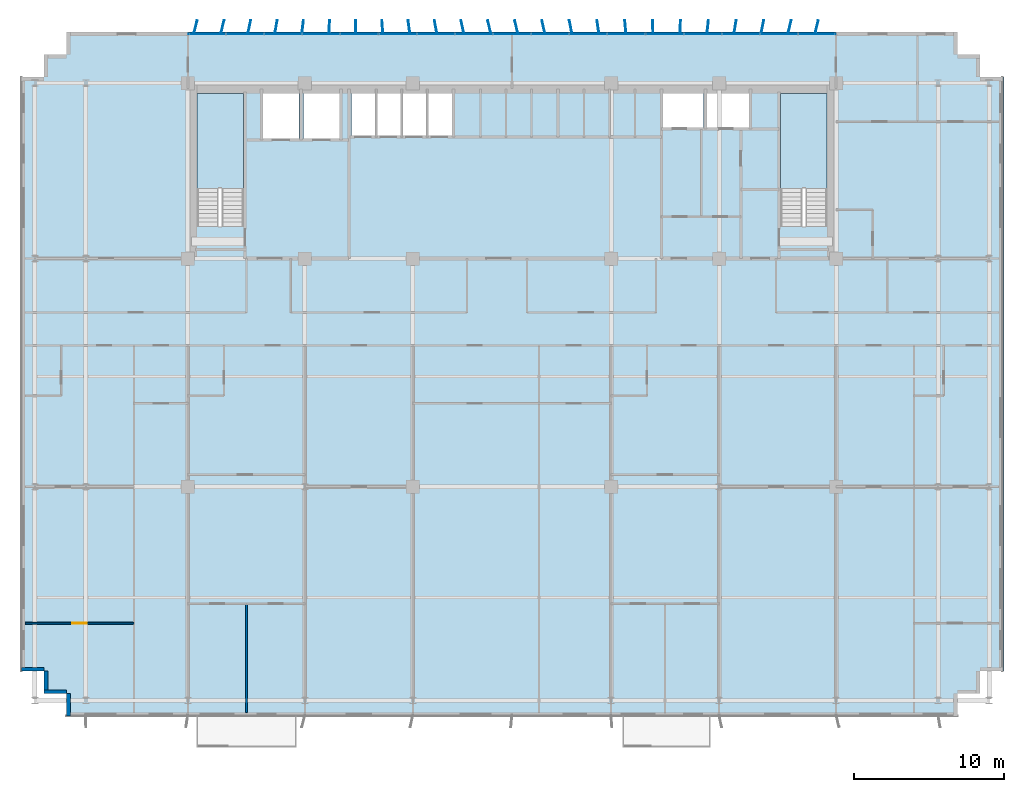
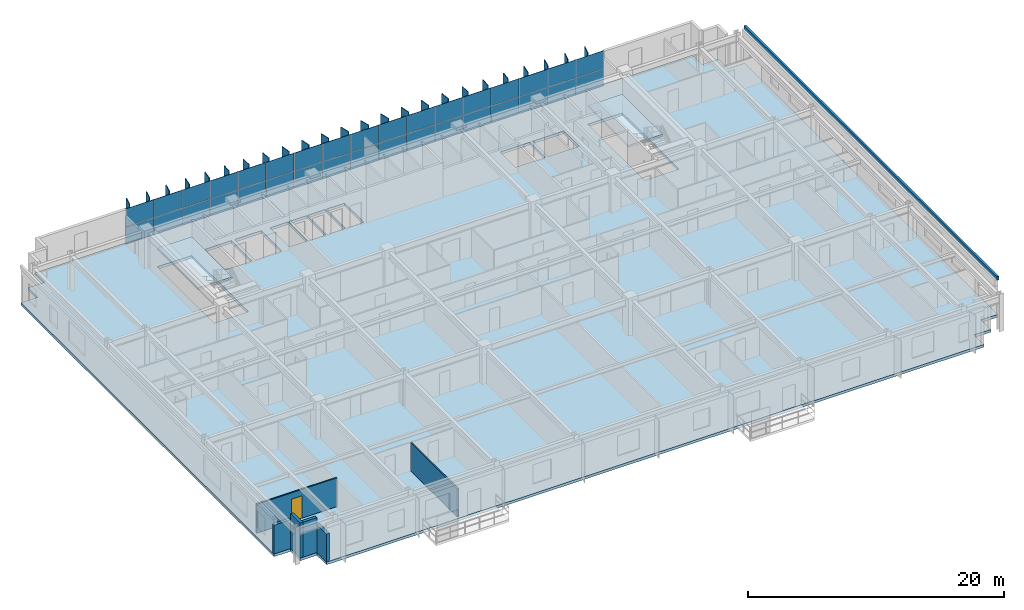
# One storey, part 14 of 22: 59 plates, 6 walls, 3 slabs, 1 door, 1 opening, 3 elements without a shape of their own.
"""IFC4 building model written with IfcOpenShell, lengths in metres."""

from ifc_helpers import new_model, si_unit, direction, frame, frame_2d, origin, origin_2d, place, context, subcontext, project, spatial, polyline, rectangle, outline, extrude, source, transform, mapped, material, layer, layer_set, type_object, element, fill, aggregate, save


model = new_model("IFC4")

# Units and contexts
model_context = context("Model", 3, precision=1e-05, world=origin(), true_north=direction((0.0, 1.0)))
body_context = subcontext(model_context, "Body", "Model", "MODEL_VIEW")
ifc_project = project(units=[si_unit("LENGTHUNIT", "METRE"), si_unit("AREAUNIT", "SQUARE_METRE"), si_unit("VOLUMEUNIT", "CUBIC_METRE"), si_unit("PLANEANGLEUNIT", "RADIAN"), si_unit("MASSUNIT", "GRAM", prefix="KILO")], contexts=[model_context])

# Site, building, storey
site_placement = place(None, origin())
site = spatial("IfcSite", under=ifc_project, at=site_placement, CompositionType="ELEMENT")
building_placement = place(site_placement, origin())
building = spatial("IfcBuilding", under=site, at=building_placement, Name="Trelvane Seafront Commons", CompositionType="ELEMENT")
storey_placement = place(building_placement, frame((0.0, 0.0, 48.699951171875)))
storey = spatial("IfcBuildingStorey", under=building, at=storey_placement, Name="L12", CompositionType="ELEMENT", Elevation=48.699951171875)

# Stair, slab
ifc_material_1 = material(Name="Concrete C40/50", Category="concrete")
stair_type_1 = type_object("IfcStairType", Name="ARCH-STR-ST-1-R20-180", PredefinedType="HALF_TURN_STAIR", material=ifc_material_1)
stair_1_placement = place(storey_placement, origin())
stair_1 = element("IfcStair", 1, at=stair_1_placement, inside=storey, type_object=stair_type_1, Name="L12 West Protected Firefighting Exit Stair ST-1", PredefinedType="HALF_TURN_STAIR")
ifc_layer_1 = layer(ifc_material_1, 0.199951171875, Name="ARCH-LND-200")
ifc_layer_set_1 = layer_set([ifc_layer_1], Name="Concrete C40/50")
slab_type_1 = type_object("IfcSlabType", Name="ARCH-LND-200", PredefinedType="LANDING", material=ifc_layer_set_1)
slab_1_placement = place(storey_placement, frame((0.0, 0.0, 1.60009765625)))
slab_1 = element("IfcSlab", 2, at=slab_1_placement, type_object=slab_type_1, Name="ST-1 landing 1", PredefinedType="LANDING", context=body_context, shape_type="SweptSolid", body=[
    extrude(outline(polyline([(19.300048828125, 38.070068359375), (19.300048828125, 44.39990234375), (16.199951171875, 44.39990234375), (16.199951171875, 38.070068359375), (19.300048828125, 38.070068359375)])), origin(), (0.0, 0.0, 1.0), 0.199951171875),
])
aggregate(stair_1, [slab_1])

stair_type_2 = type_object("IfcStairType", Name="ARCH-STR-ST-2-R20-180", PredefinedType="HALF_TURN_STAIR", material=ifc_material_1)
stair_2_placement = place(storey_placement, origin())
stair_2 = element("IfcStair", 3, at=stair_2_placement, inside=storey, type_object=stair_type_2, Name="L12 East Protected Firefighting Exit Stair ST-2", PredefinedType="HALF_TURN_STAIR")
slab_2_placement = place(storey_placement, frame((0.0, 0.0, 1.60009765625)))
slab_2 = element("IfcSlab", 4, at=slab_2_placement, type_object=slab_type_1, Name="ST-2 landing 1", PredefinedType="LANDING", context=body_context, shape_type="SweptSolid", body=[
    extrude(outline(polyline([(58.199951171875, 38.070068359375), (58.199951171875, 44.39990234375), (55.10009765625, 44.39990234375), (55.10009765625, 38.070068359375), (58.199951171875, 38.070068359375)])), origin(), (0.0, 0.0, 1.0), 0.199951171875),
])
aggregate(stair_2, [slab_2])

# Slab
ifc_material_2 = material(Name="Concrete C50/60", Category="concrete")
ifc_layer_2 = layer(ifc_material_2, 0.260009765625, Name="STR-SLB-Z1-260")
ifc_layer_set_2 = layer_set([ifc_layer_2], Name="Concrete C50/60")
slab_type_2 = type_object("IfcSlabType", Name="STR-SLB-Z1-260", PredefinedType="FLOOR", material=ifc_layer_set_2)
slab_3_placement = place(storey_placement, frame((0.0, 0.0, -0.260009765625)))
element("IfcSlab", 5, at=slab_3_placement, inside=storey, type_object=slab_type_2, Name="L12 Structural Floor Slab", PredefinedType="FLOOR", context=body_context, shape_type="SweptSolid", body=[
    extrude(outline(polyline([(7.5, 2.89990234375), (66.89990234375, 2.89990234375), (66.89990234375, 4.39990234375), (68.39990234375, 4.39990234375), (68.39990234375, 5.89990234375), (69.89990234375, 5.89990234375), (69.89990234375, 45.5), (68.39990234375, 45.5), (68.39990234375, 47.0), (66.89990234375, 47.0), (66.89990234375, 48.5), (7.5, 48.5), (7.5, 47.0), (6.0, 47.0), (6.0, 45.5), (4.5, 45.5), (4.5, 5.89990234375), (6.0, 5.89990234375), (6.0, 4.39990234375), (7.5, 4.39990234375), (7.5, 2.89990234375)]), holes=[polyline([(19.300048828125, 35.550048828125), (16.199951171875, 35.550048828125), (16.199951171875, 44.39990234375), (19.300048828125, 44.39990234375), (19.300048828125, 35.550048828125)]), polyline([(58.199951171875, 35.550048828125), (55.10009765625, 35.550048828125), (55.10009765625, 44.39990234375), (58.199951171875, 44.39990234375), (58.199951171875, 35.550048828125)]), polyline([(23.0, 41.39990234375), (20.60009765625, 41.39990234375), (20.60009765625, 44.60009765625), (23.0, 44.60009765625), (23.0, 41.39990234375)]), polyline([(23.300048828125, 41.39990234375), (23.300048828125, 44.60009765625), (25.699951171875, 44.60009765625), (25.699951171875, 41.39990234375), (23.300048828125, 41.39990234375)]), polyline([(26.5, 41.60009765625), (26.5, 44.60009765625), (28.1201171875, 44.60009765625), (28.1201171875, 41.60009765625), (26.5, 41.60009765625)]), polyline([(29.820068359375, 41.60009765625), (28.199951171875, 41.60009765625), (28.199951171875, 44.60009765625), (29.820068359375, 44.60009765625), (29.820068359375, 41.60009765625)]), polyline([(31.52001953125, 41.60009765625), (29.89990234375, 41.60009765625), (29.89990234375, 44.60009765625), (31.52001953125, 44.60009765625), (31.52001953125, 41.60009765625)]), polyline([(33.219970703125, 41.60009765625), (31.60009765625, 41.60009765625), (31.60009765625, 44.60009765625), (33.219970703125, 44.60009765625), (33.219970703125, 41.60009765625)]), polyline([(47.25, 42.14990234375), (47.25, 44.550048828125), (49.949951171875, 44.550048828125), (49.949951171875, 42.14990234375), (47.25, 42.14990234375)]), polyline([(50.199951171875, 42.14990234375), (50.199951171875, 44.550048828125), (53.0, 44.550048828125), (53.0, 42.14990234375), (50.199951171875, 42.14990234375)])]), origin(), (0.0, 0.0, 1.0), 0.260009765625),
])

# Curtain wall, plates
ifc_material_3 = material(Name="Anodised pale-silver aluminium", Category="aluminium")
curtain_wall_type = type_object("IfcCurtainWallType", Name="ARCH-CW2-LOWTOWER", PredefinedType="NOTDEFINED", material=ifc_material_3)
curtain_wall_placement = place(storey_placement, origin())
curtain_wall = element("IfcCurtainWall", 6, at=curtain_wall_placement, inside=storey, type_object=curtain_wall_type, Name="CW-L12-0036", PredefinedType="NOTDEFINED")
ifc_material_4 = material(Name="Low-E coastal double glazing", Category="glass")
ifc_layer_3 = layer(ifc_material_4, 0.033935546875, Name="ARCH-CW-GLAZ-34")
ifc_layer_set_3 = layer_set([ifc_layer_3], Name="Low-E coastal double glazing")
plate_type_1 = type_object("IfcPlateType", Name="ARCH-CW-GLAZ-34", PredefinedType="CURTAIN_PANEL", material=ifc_layer_set_3)
shared_shape_1 = source(origin(), body_context, "Body", "SweptSolid", [
    extrude(rectangle(XDim=2.51708984375, YDim=0.031982421875, at=origin_2d()), origin(), (0.0, 0.0, 1.0), 1.5849609375),
])
plate_1_placement = place(storey_placement, frame((16.87060546875, 48.3701171875, 0.0), z_axis=(0.0, 0.0, 1.0), x_axis=(1.0, 0.0, 0.0)))
plate_1 = element("IfcPlate", 7, at=plate_1_placement, type_object=plate_type_1, Name="CW-L12-0036-P00-1", PredefinedType="CURTAIN_PANEL", context=body_context, shape_type="MappedRepresentation", body=[
    mapped(shared_shape_1, transform((0.0, 0.0, 0.0), x_axis=(1.0, 0.0, 0.0), y_axis=(0.0, 1.0, 0.0), z_axis=(0.0, 0.0, 1.0), scale=1.0)),
])
plate_2_placement = place(storey_placement, frame((19.411865234375, 48.3701171875, 0.0), z_axis=(0.0, 0.0, 1.0), x_axis=(1.0, 0.0, 0.0)))
plate_2 = element("IfcPlate", 8, at=plate_2_placement, type_object=plate_type_1, Name="CW-L12-0036-P01-1", PredefinedType="CURTAIN_PANEL", context=body_context, shape_type="MappedRepresentation", body=[
    mapped(shared_shape_1, transform((0.0, 0.0, 0.0), x_axis=(1.0, 0.0, 0.0), y_axis=(0.0, 1.0, 0.0), z_axis=(0.0, 0.0, 1.0), scale=1.0)),
])
plate_3_placement = place(storey_placement, frame((21.952880859375, 48.3701171875, 0.0), z_axis=(0.0, 0.0, 1.0), x_axis=(1.0, 0.0, 0.0)))
plate_3 = element("IfcPlate", 9, at=plate_3_placement, type_object=plate_type_1, Name="CW-L12-0036-P02-1", PredefinedType="CURTAIN_PANEL", context=body_context, shape_type="MappedRepresentation", body=[
    mapped(shared_shape_1, transform((0.0, 0.0, 0.0), x_axis=(1.0, 0.0, 0.0), y_axis=(0.0, 1.0, 0.0), z_axis=(0.0, 0.0, 1.0), scale=1.0)),
])
plate_4_placement = place(storey_placement, frame((24.494140625, 48.3701171875, 0.0), z_axis=(0.0, 0.0, 1.0), x_axis=(1.0, 0.0, 0.0)))
plate_4 = element("IfcPlate", 10, at=plate_4_placement, type_object=plate_type_1, Name="CW-L12-0036-P03-1", PredefinedType="CURTAIN_PANEL", context=body_context, shape_type="MappedRepresentation", body=[
    mapped(shared_shape_1, transform((0.0, 0.0, 0.0), x_axis=(1.0, 0.0, 0.0), y_axis=(0.0, 1.0, 0.0), z_axis=(0.0, 0.0, 1.0), scale=1.0)),
])
plate_5_placement = place(storey_placement, frame((27.035400390625, 48.3701171875, 0.0), z_axis=(0.0, 0.0, 1.0), x_axis=(1.0, 0.0, 0.0)))
plate_5 = element("IfcPlate", 11, at=plate_5_placement, type_object=plate_type_1, Name="CW-L12-0036-P04-1", PredefinedType="CURTAIN_PANEL", context=body_context, shape_type="MappedRepresentation", body=[
    mapped(shared_shape_1, transform((0.0, 0.0, 0.0), x_axis=(1.0, 0.0, 0.0), y_axis=(0.0, 1.0, 0.0), z_axis=(0.0, 0.0, 1.0), scale=1.0)),
])
plate_6_placement = place(storey_placement, frame((29.576416015625, 48.3701171875, 0.0), z_axis=(0.0, 0.0, 1.0), x_axis=(1.0, 0.0, 0.0)))
plate_6 = element("IfcPlate", 12, at=plate_6_placement, type_object=plate_type_1, Name="CW-L12-0036-P05-1", PredefinedType="CURTAIN_PANEL", context=body_context, shape_type="MappedRepresentation", body=[
    mapped(shared_shape_1, transform((0.0, 0.0, 0.0), x_axis=(1.0, 0.0, 0.0), y_axis=(0.0, 1.0, 0.0), z_axis=(0.0, 0.0, 1.0), scale=1.0)),
])
plate_7_placement = place(storey_placement, frame((32.11767578125, 48.3701171875, 0.0), z_axis=(0.0, 0.0, 1.0), x_axis=(1.0, 0.0, 0.0)))
plate_7 = element("IfcPlate", 13, at=plate_7_placement, type_object=plate_type_1, Name="CW-L12-0036-P06-1", PredefinedType="CURTAIN_PANEL", context=body_context, shape_type="MappedRepresentation", body=[
    mapped(shared_shape_1, transform((0.0, 0.0, 0.0), x_axis=(1.0, 0.0, 0.0), y_axis=(0.0, 1.0, 0.0), z_axis=(0.0, 0.0, 1.0), scale=1.0)),
])
plate_8_placement = place(storey_placement, frame((34.65869140625, 48.3701171875, 0.0), z_axis=(0.0, 0.0, 1.0), x_axis=(1.0, 0.0, 0.0)))
plate_8 = element("IfcPlate", 14, at=plate_8_placement, type_object=plate_type_1, Name="CW-L12-0036-P07-1", PredefinedType="CURTAIN_PANEL", context=body_context, shape_type="MappedRepresentation", body=[
    mapped(shared_shape_1, transform((0.0, 0.0, 0.0), x_axis=(1.0, 0.0, 0.0), y_axis=(0.0, 1.0, 0.0), z_axis=(0.0, 0.0, 1.0), scale=1.0)),
])
plate_9_placement = place(storey_placement, frame((37.199951171875, 48.3701171875, 0.0), z_axis=(0.0, 0.0, 1.0), x_axis=(1.0, 0.0, 0.0)))
plate_9 = element("IfcPlate", 15, at=plate_9_placement, type_object=plate_type_1, Name="CW-L12-0036-P08-1", PredefinedType="CURTAIN_PANEL", context=body_context, shape_type="MappedRepresentation", body=[
    mapped(shared_shape_1, transform((0.0, 0.0, 0.0), x_axis=(1.0, 0.0, 0.0), y_axis=(0.0, 1.0, 0.0), z_axis=(0.0, 0.0, 1.0), scale=1.0)),
])
plate_10_placement = place(storey_placement, frame((39.7412109375, 48.3701171875, 0.0), z_axis=(0.0, 0.0, 1.0), x_axis=(1.0, 0.0, 0.0)))
plate_10 = element("IfcPlate", 16, at=plate_10_placement, type_object=plate_type_1, Name="CW-L12-0036-P09-1", PredefinedType="CURTAIN_PANEL", context=body_context, shape_type="MappedRepresentation", body=[
    mapped(shared_shape_1, transform((0.0, 0.0, 0.0), x_axis=(1.0, 0.0, 0.0), y_axis=(0.0, 1.0, 0.0), z_axis=(0.0, 0.0, 1.0), scale=1.0)),
])
plate_11_placement = place(storey_placement, frame((42.282470703125, 48.3701171875, 0.0), z_axis=(0.0, 0.0, 1.0), x_axis=(1.0, 0.0, 0.0)))
plate_11 = element("IfcPlate", 17, at=plate_11_placement, type_object=plate_type_1, Name="CW-L12-0036-P10-1", PredefinedType="CURTAIN_PANEL", context=body_context, shape_type="MappedRepresentation", body=[
    mapped(shared_shape_1, transform((0.0, 0.0, 0.0), x_axis=(1.0, 0.0, 0.0), y_axis=(0.0, 1.0, 0.0), z_axis=(0.0, 0.0, 1.0), scale=1.0)),
])
plate_12_placement = place(storey_placement, frame((44.823486328125, 48.3701171875, 0.0), z_axis=(0.0, 0.0, 1.0), x_axis=(1.0, 0.0, 0.0)))
plate_12 = element("IfcPlate", 18, at=plate_12_placement, type_object=plate_type_1, Name="CW-L12-0036-P11-1", PredefinedType="CURTAIN_PANEL", context=body_context, shape_type="MappedRepresentation", body=[
    mapped(shared_shape_1, transform((0.0, 0.0, 0.0), x_axis=(1.0, 0.0, 0.0), y_axis=(0.0, 1.0, 0.0), z_axis=(0.0, 0.0, 1.0), scale=1.0)),
])
plate_13_placement = place(storey_placement, frame((47.36474609375, 48.3701171875, 0.0), z_axis=(0.0, 0.0, 1.0), x_axis=(1.0, 0.0, 0.0)))
plate_13 = element("IfcPlate", 19, at=plate_13_placement, type_object=plate_type_1, Name="CW-L12-0036-P12-1", PredefinedType="CURTAIN_PANEL", context=body_context, shape_type="MappedRepresentation", body=[
    mapped(shared_shape_1, transform((0.0, 0.0, 0.0), x_axis=(1.0, 0.0, 0.0), y_axis=(0.0, 1.0, 0.0), z_axis=(0.0, 0.0, 1.0), scale=1.0)),
])
plate_14_placement = place(storey_placement, frame((49.906005859375, 48.3701171875, 0.0), z_axis=(0.0, 0.0, 1.0), x_axis=(1.0, 0.0, 0.0)))
plate_14 = element("IfcPlate", 20, at=plate_14_placement, type_object=plate_type_1, Name="CW-L12-0036-P13-1", PredefinedType="CURTAIN_PANEL", context=body_context, shape_type="MappedRepresentation", body=[
    mapped(shared_shape_1, transform((0.0, 0.0, 0.0), x_axis=(1.0, 0.0, 0.0), y_axis=(0.0, 1.0, 0.0), z_axis=(0.0, 0.0, 1.0), scale=1.0)),
])
plate_15_placement = place(storey_placement, frame((52.447021484375, 48.3701171875, 0.0), z_axis=(0.0, 0.0, 1.0), x_axis=(1.0, 0.0, 0.0)))
plate_15 = element("IfcPlate", 21, at=plate_15_placement, type_object=plate_type_1, Name="CW-L12-0036-P14-1", PredefinedType="CURTAIN_PANEL", context=body_context, shape_type="MappedRepresentation", body=[
    mapped(shared_shape_1, transform((0.0, 0.0, 0.0), x_axis=(1.0, 0.0, 0.0), y_axis=(0.0, 1.0, 0.0), z_axis=(0.0, 0.0, 1.0), scale=1.0)),
])
plate_16_placement = place(storey_placement, frame((54.98828125, 48.3701171875, 0.0), z_axis=(0.0, 0.0, 1.0), x_axis=(1.0, 0.0, 0.0)))
plate_16 = element("IfcPlate", 22, at=plate_16_placement, type_object=plate_type_1, Name="CW-L12-0036-P15-1", PredefinedType="CURTAIN_PANEL", context=body_context, shape_type="MappedRepresentation", body=[
    mapped(shared_shape_1, transform((0.0, 0.0, 0.0), x_axis=(1.0, 0.0, 0.0), y_axis=(0.0, 1.0, 0.0), z_axis=(0.0, 0.0, 1.0), scale=1.0)),
])
plate_17_placement = place(storey_placement, frame((57.529296875, 48.3701171875, 0.0), z_axis=(0.0, 0.0, 1.0), x_axis=(1.0, 0.0, 0.0)))
plate_17 = element("IfcPlate", 23, at=plate_17_placement, type_object=plate_type_1, Name="CW-L12-0036-P16-1", PredefinedType="CURTAIN_PANEL", context=body_context, shape_type="MappedRepresentation", body=[
    mapped(shared_shape_1, transform((0.0, 0.0, 0.0), x_axis=(1.0, 0.0, 0.0), y_axis=(0.0, 1.0, 0.0), z_axis=(0.0, 0.0, 1.0), scale=1.0)),
])
shared_shape_2 = source(origin(), body_context, "Body", "SweptSolid", [
    extrude(rectangle(XDim=2.51708984375, YDim=0.031982421875, at=origin_2d()), origin(), (0.0, 0.0, 1.0), 1.718994140625),
])
plate_18_placement = place(storey_placement, frame((16.87060546875, 48.3701171875, 1.62109375), z_axis=(0.0, 0.0, 1.0), x_axis=(1.0, 0.0, 0.0)))
plate_18 = element("IfcPlate", 24, at=plate_18_placement, type_object=plate_type_1, Name="CW-L12-0036-P00-2", PredefinedType="CURTAIN_PANEL", context=body_context, shape_type="MappedRepresentation", body=[
    mapped(shared_shape_2, transform((0.0, 0.0, 0.0), x_axis=(1.0, 0.0, 0.0), y_axis=(0.0, 1.0, 0.0), z_axis=(0.0, 0.0, 1.0), scale=1.0)),
])
plate_19_placement = place(storey_placement, frame((19.411865234375, 48.3701171875, 1.62109375), z_axis=(0.0, 0.0, 1.0), x_axis=(1.0, 0.0, 0.0)))
plate_19 = element("IfcPlate", 25, at=plate_19_placement, type_object=plate_type_1, Name="CW-L12-0036-P01-2", PredefinedType="CURTAIN_PANEL", context=body_context, shape_type="MappedRepresentation", body=[
    mapped(shared_shape_2, transform((0.0, 0.0, 0.0), x_axis=(1.0, 0.0, 0.0), y_axis=(0.0, 1.0, 0.0), z_axis=(0.0, 0.0, 1.0), scale=1.0)),
])
plate_20_placement = place(storey_placement, frame((21.952880859375, 48.3701171875, 1.62109375), z_axis=(0.0, 0.0, 1.0), x_axis=(1.0, 0.0, 0.0)))
plate_20 = element("IfcPlate", 26, at=plate_20_placement, type_object=plate_type_1, Name="CW-L12-0036-P02-2", PredefinedType="CURTAIN_PANEL", context=body_context, shape_type="MappedRepresentation", body=[
    mapped(shared_shape_2, transform((0.0, 0.0, 0.0), x_axis=(1.0, 0.0, 0.0), y_axis=(0.0, 1.0, 0.0), z_axis=(0.0, 0.0, 1.0), scale=1.0)),
])
plate_21_placement = place(storey_placement, frame((24.494140625, 48.3701171875, 1.62109375), z_axis=(0.0, 0.0, 1.0), x_axis=(1.0, 0.0, 0.0)))
plate_21 = element("IfcPlate", 27, at=plate_21_placement, type_object=plate_type_1, Name="CW-L12-0036-P03-2", PredefinedType="CURTAIN_PANEL", context=body_context, shape_type="MappedRepresentation", body=[
    mapped(shared_shape_2, transform((0.0, 0.0, 0.0), x_axis=(1.0, 0.0, 0.0), y_axis=(0.0, 1.0, 0.0), z_axis=(0.0, 0.0, 1.0), scale=1.0)),
])
plate_22_placement = place(storey_placement, frame((27.035400390625, 48.3701171875, 1.62109375), z_axis=(0.0, 0.0, 1.0), x_axis=(1.0, 0.0, 0.0)))
plate_22 = element("IfcPlate", 28, at=plate_22_placement, type_object=plate_type_1, Name="CW-L12-0036-P04-2", PredefinedType="CURTAIN_PANEL", context=body_context, shape_type="MappedRepresentation", body=[
    mapped(shared_shape_2, transform((0.0, 0.0, 0.0), x_axis=(1.0, 0.0, 0.0), y_axis=(0.0, 1.0, 0.0), z_axis=(0.0, 0.0, 1.0), scale=1.0)),
])
plate_23_placement = place(storey_placement, frame((29.576416015625, 48.3701171875, 1.62109375), z_axis=(0.0, 0.0, 1.0), x_axis=(1.0, 0.0, 0.0)))
plate_23 = element("IfcPlate", 29, at=plate_23_placement, type_object=plate_type_1, Name="CW-L12-0036-P05-2", PredefinedType="CURTAIN_PANEL", context=body_context, shape_type="MappedRepresentation", body=[
    mapped(shared_shape_2, transform((0.0, 0.0, 0.0), x_axis=(1.0, 0.0, 0.0), y_axis=(0.0, 1.0, 0.0), z_axis=(0.0, 0.0, 1.0), scale=1.0)),
])
plate_24_placement = place(storey_placement, frame((32.11767578125, 48.3701171875, 1.62109375), z_axis=(0.0, 0.0, 1.0), x_axis=(1.0, 0.0, 0.0)))
plate_24 = element("IfcPlate", 30, at=plate_24_placement, type_object=plate_type_1, Name="CW-L12-0036-P06-2", PredefinedType="CURTAIN_PANEL", context=body_context, shape_type="MappedRepresentation", body=[
    mapped(shared_shape_2, transform((0.0, 0.0, 0.0), x_axis=(1.0, 0.0, 0.0), y_axis=(0.0, 1.0, 0.0), z_axis=(0.0, 0.0, 1.0), scale=1.0)),
])
plate_25_placement = place(storey_placement, frame((34.65869140625, 48.3701171875, 1.62109375), z_axis=(0.0, 0.0, 1.0), x_axis=(1.0, 0.0, 0.0)))
plate_25 = element("IfcPlate", 31, at=plate_25_placement, type_object=plate_type_1, Name="CW-L12-0036-P07-2", PredefinedType="CURTAIN_PANEL", context=body_context, shape_type="MappedRepresentation", body=[
    mapped(shared_shape_2, transform((0.0, 0.0, 0.0), x_axis=(1.0, 0.0, 0.0), y_axis=(0.0, 1.0, 0.0), z_axis=(0.0, 0.0, 1.0), scale=1.0)),
])
plate_26_placement = place(storey_placement, frame((37.199951171875, 48.3701171875, 1.62109375), z_axis=(0.0, 0.0, 1.0), x_axis=(1.0, 0.0, 0.0)))
plate_26 = element("IfcPlate", 32, at=plate_26_placement, type_object=plate_type_1, Name="CW-L12-0036-P08-2", PredefinedType="CURTAIN_PANEL", context=body_context, shape_type="MappedRepresentation", body=[
    mapped(shared_shape_2, transform((0.0, 0.0, 0.0), x_axis=(1.0, 0.0, 0.0), y_axis=(0.0, 1.0, 0.0), z_axis=(0.0, 0.0, 1.0), scale=1.0)),
])
plate_27_placement = place(storey_placement, frame((39.7412109375, 48.3701171875, 1.62109375), z_axis=(0.0, 0.0, 1.0), x_axis=(1.0, 0.0, 0.0)))
plate_27 = element("IfcPlate", 33, at=plate_27_placement, type_object=plate_type_1, Name="CW-L12-0036-P09-2", PredefinedType="CURTAIN_PANEL", context=body_context, shape_type="MappedRepresentation", body=[
    mapped(shared_shape_2, transform((0.0, 0.0, 0.0), x_axis=(1.0, 0.0, 0.0), y_axis=(0.0, 1.0, 0.0), z_axis=(0.0, 0.0, 1.0), scale=1.0)),
])
plate_28_placement = place(storey_placement, frame((42.282470703125, 48.3701171875, 1.62109375), z_axis=(0.0, 0.0, 1.0), x_axis=(1.0, 0.0, 0.0)))
plate_28 = element("IfcPlate", 34, at=plate_28_placement, type_object=plate_type_1, Name="CW-L12-0036-P10-2", PredefinedType="CURTAIN_PANEL", context=body_context, shape_type="MappedRepresentation", body=[
    mapped(shared_shape_2, transform((0.0, 0.0, 0.0), x_axis=(1.0, 0.0, 0.0), y_axis=(0.0, 1.0, 0.0), z_axis=(0.0, 0.0, 1.0), scale=1.0)),
])
plate_29_placement = place(storey_placement, frame((44.823486328125, 48.3701171875, 1.62109375), z_axis=(0.0, 0.0, 1.0), x_axis=(1.0, 0.0, 0.0)))
plate_29 = element("IfcPlate", 35, at=plate_29_placement, type_object=plate_type_1, Name="CW-L12-0036-P11-2", PredefinedType="CURTAIN_PANEL", context=body_context, shape_type="MappedRepresentation", body=[
    mapped(shared_shape_2, transform((0.0, 0.0, 0.0), x_axis=(1.0, 0.0, 0.0), y_axis=(0.0, 1.0, 0.0), z_axis=(0.0, 0.0, 1.0), scale=1.0)),
])
plate_30_placement = place(storey_placement, frame((47.36474609375, 48.3701171875, 1.62109375), z_axis=(0.0, 0.0, 1.0), x_axis=(1.0, 0.0, 0.0)))
plate_30 = element("IfcPlate", 36, at=plate_30_placement, type_object=plate_type_1, Name="CW-L12-0036-P12-2", PredefinedType="CURTAIN_PANEL", context=body_context, shape_type="MappedRepresentation", body=[
    mapped(shared_shape_2, transform((0.0, 0.0, 0.0), x_axis=(1.0, 0.0, 0.0), y_axis=(0.0, 1.0, 0.0), z_axis=(0.0, 0.0, 1.0), scale=1.0)),
])
plate_31_placement = place(storey_placement, frame((49.906005859375, 48.3701171875, 1.62109375), z_axis=(0.0, 0.0, 1.0), x_axis=(1.0, 0.0, 0.0)))
plate_31 = element("IfcPlate", 37, at=plate_31_placement, type_object=plate_type_1, Name="CW-L12-0036-P13-2", PredefinedType="CURTAIN_PANEL", context=body_context, shape_type="MappedRepresentation", body=[
    mapped(shared_shape_2, transform((0.0, 0.0, 0.0), x_axis=(1.0, 0.0, 0.0), y_axis=(0.0, 1.0, 0.0), z_axis=(0.0, 0.0, 1.0), scale=1.0)),
])
plate_32_placement = place(storey_placement, frame((52.447021484375, 48.3701171875, 1.62109375), z_axis=(0.0, 0.0, 1.0), x_axis=(1.0, 0.0, 0.0)))
plate_32 = element("IfcPlate", 38, at=plate_32_placement, type_object=plate_type_1, Name="CW-L12-0036-P14-2", PredefinedType="CURTAIN_PANEL", context=body_context, shape_type="MappedRepresentation", body=[
    mapped(shared_shape_2, transform((0.0, 0.0, 0.0), x_axis=(1.0, 0.0, 0.0), y_axis=(0.0, 1.0, 0.0), z_axis=(0.0, 0.0, 1.0), scale=1.0)),
])
plate_33_placement = place(storey_placement, frame((54.98828125, 48.3701171875, 1.62109375), z_axis=(0.0, 0.0, 1.0), x_axis=(1.0, 0.0, 0.0)))
plate_33 = element("IfcPlate", 39, at=plate_33_placement, type_object=plate_type_1, Name="CW-L12-0036-P15-2", PredefinedType="CURTAIN_PANEL", context=body_context, shape_type="MappedRepresentation", body=[
    mapped(shared_shape_2, transform((0.0, 0.0, 0.0), x_axis=(1.0, 0.0, 0.0), y_axis=(0.0, 1.0, 0.0), z_axis=(0.0, 0.0, 1.0), scale=1.0)),
])
plate_34_placement = place(storey_placement, frame((57.529296875, 48.3701171875, 1.62109375), z_axis=(0.0, 0.0, 1.0), x_axis=(1.0, 0.0, 0.0)))
plate_34 = element("IfcPlate", 40, at=plate_34_placement, type_object=plate_type_1, Name="CW-L12-0036-P16-2", PredefinedType="CURTAIN_PANEL", context=body_context, shape_type="MappedRepresentation", body=[
    mapped(shared_shape_2, transform((0.0, 0.0, 0.0), x_axis=(1.0, 0.0, 0.0), y_axis=(0.0, 1.0, 0.0), z_axis=(0.0, 0.0, 1.0), scale=1.0)),
])
aggregate(curtain_wall, [plate_1, plate_18, plate_2, plate_19, plate_3, plate_20, plate_4, plate_21, plate_5, plate_22, plate_6, plate_23, plate_7, plate_24, plate_8, plate_25, plate_9, plate_26, plate_10, plate_27, plate_11, plate_28, plate_12, plate_29, plate_13, plate_30, plate_14, plate_31, plate_15, plate_32, plate_16, plate_33, plate_17, plate_34])

# Plates
ifc_layer_4 = layer(ifc_material_3, 0.06005859375, Name="ARCH-PLATE-FIN900")
ifc_layer_set_4 = layer_set([ifc_layer_4], Name="Anodised pale-silver aluminium")
plate_type_2 = type_object("IfcPlateType", Name="ARCH-PLATE-FIN900", PredefinedType="USERDEFINED", material=ifc_layer_set_4)
shared_shape_3 = source(origin(), body_context, "Body", "SweptSolid", [
    extrude(rectangle(XDim=0.89990234375, YDim=0.06005859375, at=origin_2d()), origin(), (0.0, 0.0, 1.0), 3.639892578125),
])
for number, where, z_axis, x_axis, name in (
    (41, (16.10888671875, 48.836669921875, -0.02001953125), (0.0, 0.0, 1.0), (0.241777946669, 0.970331605434, 0.0), "FIN-L12-00229"),
    (42, (17.90576171875, 48.83740234375, -0.02001953125), (0.0, 0.0, 1.0), (0.234999613651, 0.971995463767, 0.0), "FIN-L12-00230"),
    (43, (19.69482421875, 48.83984375, -0.02001953125), (0.0, 0.0, 1.0), (0.211009191623, 0.977484077134, 0.0), "FIN-L12-00231"),
    (44, (21.47705078125, 48.843505859375, -0.02001953125), (0.0, 0.0, 1.0), (0.171332457762, 0.985213270778, 0.0), "FIN-L12-00232"),
    (45, (23.25341796875, 48.8466796875, -0.02001953125), (0.0, 0.0, 1.0), (0.118781765008, 0.992920385681, 0.0), "FIN-L12-00233"),
    (46, (25.025634765625, 48.84912109375, -0.02001953125), (0.0, 0.0, 1.0), (0.057002953772, 0.998374009708, 0.0), "FIN-L12-00234"),
    (47, (26.7958984375, 48.85009765625, -0.02001953125), (0.0, 0.0, 1.0), (-0.009110492661, 0.999958498601, 0.0), "FIN-L12-00235"),
    (48, (28.56640625, 48.8486328125, -0.02001953125), (0.0, 0.0, 1.0), (-0.074665448182, 0.997208639577, 0.0), "FIN-L12-00236"),
    (49, (30.339599609375, 48.845947265625, -0.02001953125), (0.0, 0.0, 1.0), (-0.134339013679, 0.990935431501, 0.0), "FIN-L12-00237"),
    (50, (32.117431640625, 48.84228515625, -0.02001953125), (0.0, 0.0, 1.0), (-0.183664846651, 0.982988923694, 0.0), "FIN-L12-00238"),
    (51, (33.9013671875, 48.839111328125, -0.02001953125), (0.0, 0.0, 1.0), (-0.219224700209, 0.975674397952, 0.0), "FIN-L12-00239"),
    (52, (35.692626953125, 48.8369140625, -0.02001953125), (0.0, 0.0, 1.0), (-0.238558881733, 0.971128034786, 0.0), "FIN-L12-00240"),
    (53, (37.49169921875, 48.8369140625, -0.02001953125), (0.0, 0.0, 1.0), (-0.240548236957, 0.970637185408, 0.0), "FIN-L12-00241"),
    (54, (39.298583984375, 48.83837890625, -0.02001953125), (0.0, 0.0, 1.0), (-0.225110907394, 0.974333145989, 0.0), "FIN-L12-00242"),
    (55, (41.11328125, 48.841552734375, -0.02001953125), (0.0, 0.0, 1.0), (-0.192996356034, 0.981199473378, 0.0), "FIN-L12-00243"),
    (56, (42.93408203125, 48.84521484375, -0.02001953125), (0.0, 0.0, 1.0), (-0.146443879477, 0.989218979884, 0.0), "FIN-L12-00244"),
    (57, (44.760009765625, 48.84814453125, -0.02001953125), (0.0, 0.0, 1.0), (-0.088783037457, 0.996050988785, 0.0), "FIN-L12-00245"),
    (58, (46.589111328125, 48.849853515625, -0.02001953125), (0.0, 0.0, 1.0), (-0.024222800628, 0.999706584919, 0.0), "FIN-L12-00246"),
    (59, (48.4189453125, 48.849609375, -0.02001953125), (0.0, 0.0, 1.0), (0.04233252449, 0.999103576898, 0.0), "FIN-L12-00247"),
    (60, (50.24755859375, 48.847412109375, -0.02001953125), (0.0, 0.0, 1.0), (0.105443168741, 0.994425330614, 0.0), "FIN-L12-00248"),
    (61, (52.072265625, 48.843994140625, -0.02001953125), (0.0, 0.0, 1.0), (0.160559963689, 0.987026087832, 0.0), "FIN-L12-00249"),
    (62, (53.8916015625, 48.840576171875, -0.02001953125), (0.0, 0.0, 1.0), (0.203332456021, 0.979109754996, 0.0), "FIN-L12-00250"),
    (63, (55.703857421875, 48.837890625, -0.02001953125), (0.0, 0.0, 1.0), (0.230988910099, 0.972956383098, 0.0), "FIN-L12-00251"),
    (64, (57.5087890625, 48.836669921875, -0.02001953125), (0.0, 0.0, 1.0), (0.241777946669, 0.970331605434, 0.0), "FIN-L12-00252"),
):
    element("IfcPlate", number, at=place(storey_placement, frame(where, z_axis=z_axis, x_axis=x_axis)), inside=storey, type_object=plate_type_2, Name=name, ObjectType="FIN", PredefinedType="USERDEFINED", context=body_context, shape_type="MappedRepresentation", body=[
        mapped(shared_shape_3, transform((0.0, 0.0, 0.0), x_axis=(1.0, 0.0, 0.0), y_axis=(0.0, 1.0, 0.0), z_axis=(0.0, 0.0, 1.0), scale=1.0)),
    ])
ifc_layer_5 = layer(ifc_material_3, 0.179931640625, Name="ARCH-PLATE-AERO")
ifc_layer_set_5 = layer_set([ifc_layer_5], Name="Anodised pale-silver aluminium")
plate_type_3 = type_object("IfcPlateType", Name="ARCH-PLATE-AERO", PredefinedType="SHEET", material=ifc_layer_set_5)
shared_shape_4 = source(origin(), body_context, "Body", "SweptSolid", [
    extrude(rectangle(XDim=39.60009765625, YDim=0.179931640625, at=origin_2d()), origin(), (0.0, 0.0, 1.0), 0.340087890625),
])
plate_35_placement = place(storey_placement, frame((69.89990234375, 25.699951171875, 3.27978515625), z_axis=(0.0, 0.0, 1.0), x_axis=(0.0, -1.0, 0.0)))
element("IfcPlate", 65, at=plate_35_placement, inside=storey, type_object=plate_type_3, Name="AER-L12-00043", PredefinedType="SHEET", context=body_context, shape_type="MappedRepresentation", body=[
    mapped(shared_shape_4, transform((0.0, 0.0, 0.0), x_axis=(1.0, 0.0, 0.0), y_axis=(0.0, 1.0, 0.0), z_axis=(0.0, 0.0, 1.0), scale=1.0)),
])

# Walls
ifc_material_5 = material(Name="Precast concrete C40/50", Category="concrete")
ifc_layer_6 = layer(ifc_material_5, 0.260009765625, Name="ARCH-WALL-EXT260")
ifc_layer_set_6 = layer_set([ifc_layer_6], Name="Precast concrete C40/50")
wall_type_1 = type_object("IfcWallType", Name="ARCH-WALL-EXT260", PredefinedType="SOLIDWALL", material=ifc_layer_set_6)
for number, where, z_axis, x_axis, name in (
    (66, (7.5, 4.530029296875, 0.0), (0.0, 0.0, 1.0), (-1.0, 0.0, 0.0), "EW-L12-00194"),
    (67, (6.1298828125, 4.39990234375, 0.0), (0.0, 0.0, 1.0), (0.0, 1.0, 0.0), "EW-L12-00195"),
):
    element("IfcWall", number, at=place(storey_placement, frame(where, z_axis=z_axis, x_axis=x_axis)), inside=storey, type_object=wall_type_1, Name=name, PredefinedType="SOLIDWALL", context=body_context, shape_type="SweptSolid", body=[
        extrude(rectangle(XDim=1.5, YDim=0.260009765625, at=frame_2d((0.75, 0.0))), origin(), (0.0, 0.0, 1.0), 3.340087890625),
    ])
wall_1_placement = place(storey_placement, frame((6.0, 6.030029296875, 0.0), z_axis=(0.0, 0.0, 1.0), x_axis=(-1.0, 0.0, 0.0)))
element("IfcWall", 68, at=wall_1_placement, inside=storey, type_object=wall_type_1, Name="EW-L12-00196", PredefinedType="SOLIDWALL", context=body_context, shape_type="SweptSolid", body=[
    extrude(rectangle(XDim=1.5, YDim=0.260009765625, at=frame_2d((0.75, 0.0))), origin(), (0.0, 0.0, 1.0), 2.751953125),
])
wall_2_placement = place(storey_placement, frame((7.6298828125, 2.89990234375, 0.0), z_axis=(0.0, 0.0, 1.0), x_axis=(0.0, 1.0, 0.0)))
element("IfcWall", 69, at=wall_2_placement, inside=storey, type_object=wall_type_1, Name="EW-L12-00212", PredefinedType="SOLIDWALL", context=body_context, shape_type="SweptSolid", body=[
    extrude(rectangle(XDim=1.5, YDim=0.260009765625, at=frame_2d((0.75, 0.0))), origin(), (0.0, 0.0, 1.0), 2.68994140625),
])

# Wall, opening, door
ifc_material_6 = material(Name="Gypsum Drywall Acoustic Partition")
ifc_layer_7 = layer(ifc_material_6, 0.1201171875, Name="ARCH-WALL-PART120")
ifc_layer_set_7 = layer_set([ifc_layer_7], Name="Gypsum Drywall Acoustic Partition")
wall_type_2 = type_object("IfcWallType", Name="ARCH-WALL-PART120", PredefinedType="PARTITIONING", material=ifc_layer_set_7)
wall_3_placement = place(storey_placement, frame((4.760009765625, 9.10009765625, 0.0), z_axis=(0.0, 0.0, 1.0), x_axis=(1.0, 0.0, 0.0)))
wall_3 = element("IfcWall", 70, at=wall_3_placement, inside=storey, type_object=wall_type_2, Name="W-L12-U1-YM-1-072", PredefinedType="PARTITIONING", context=body_context, shape_type="SweptSolid", body=[
    extrude(rectangle(XDim=7.239990234375, YDim=0.1201171875, at=frame_2d((3.6201171875, 0.0))), origin(), (0.0, 0.0, 1.0), 2.751953125),
])
opening_placement = place(wall_3_placement, frame((3.14501953125, 0.0, 0.0)))
opening = element("IfcOpeningElement", 71, at=opening_placement, cuts=wall_3, Name="Opening D-L12-34", PredefinedType="OPENING", context=body_context, shape_type="SweptSolid", body=[
    extrude(rectangle(XDim=0.949951171875, YDim=2.14990234375, at=frame_2d((0.47509765625, 1.074951171875))), frame((0.0, 0.070068359375, 0.0), z_axis=(0.0, -1.0, 0.0), x_axis=(1.0, 0.0, 0.0)), (0.0, 0.0, 1.0), 0.14013671875),
])
ifc_material_7 = material(Name="Acoustic timber door leaf", Category="wood")
door_type = type_object("IfcDoorType", Name="ARCH-DR-INT950", OperationType="NOTDEFINED", PredefinedType="DOOR", material=ifc_material_7)
shared_shape_5 = source(origin(), body_context, "Body", "SweptSolid", [
    extrude(rectangle(XDim=0.949951171875, YDim=2.14990234375, at=frame_2d((0.47509765625, 1.074951171875))), frame((0.0, 0.02490234375, 0.0), z_axis=(0.0, -1.0, 0.0), x_axis=(1.0, 0.0, 0.0)), (0.0, 0.0, 1.0), 0.050048828125),
])
door_placement = place(opening_placement, origin())
door = element("IfcDoor", 72, at=door_placement, inside=storey, type_object=door_type, Name="L12 Door 34", OperationType="SINGLE_SWING_RIGHT", OverallHeight=2.14990234375, OverallWidth=0.949951171875, PredefinedType="DOOR", context=body_context, shape_type="MappedRepresentation", body=[
    mapped(shared_shape_5, transform((0.0, 0.0, 0.0), x_axis=(1.0, 0.0, 0.0), y_axis=(0.0, 1.0, 0.0), z_axis=(0.0, 0.0, 1.0), scale=1.0)),
])
fill(opening, door)

# Wall
wall_4_placement = place(storey_placement, frame((19.5, 3.14501953125, 0.0), z_axis=(0.0, 0.0, 1.0), x_axis=(0.0, 1.0, 0.0)))
element("IfcWall", 73, at=wall_4_placement, inside=storey, type_object=wall_type_2, Name="W-L12-U3-BDV-1-081", PredefinedType="PARTITIONING", context=body_context, shape_type="SweptSolid", body=[
    extrude(rectangle(XDim=7.2548828125, YDim=0.1201171875, at=frame_2d((3.62744140625, 0.0))), origin(), (0.0, 0.0, 1.0), 2.68994140625),
])

save(model, "model.ifc")
